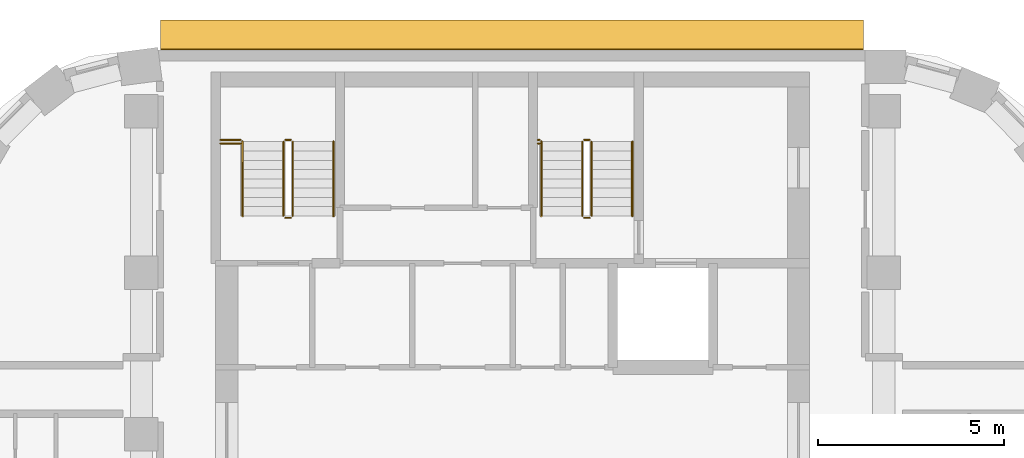
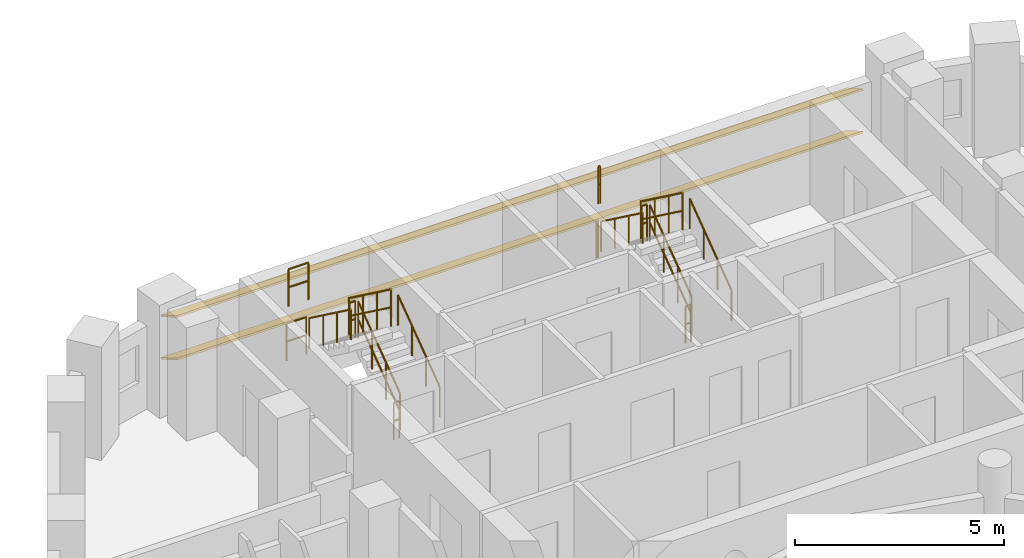
# One storey, part 12 of 12: 16 railings, 2 shading devices.
"""IFC4 building model written with IfcOpenShell, lengths in metres."""

from ifc_helpers import new_model, si_unit, direction, frame, origin, origin_2d, place, context, subcontext, project, spatial, rectangle, circle, extrude, material, material_profile, profile_set, type_object, element, save


model = new_model("IFC4")

# Units and contexts
model_context = context("Model", 3, precision=1e-05, world=origin(), true_north=direction((0.0, 1.0)))
body_context = subcontext(model_context, "Body", "Model", "MODEL_VIEW")
ifc_project = project(units=[si_unit("LENGTHUNIT", "METRE"), si_unit("AREAUNIT", "SQUARE_METRE"), si_unit("VOLUMEUNIT", "CUBIC_METRE"), si_unit("PLANEANGLEUNIT", "RADIAN"), si_unit("MASSUNIT", "GRAM", prefix="KILO")], contexts=[model_context])

# Site, building, storey
site_placement = place(None, origin())
site = spatial("IfcSite", under=ifc_project, at=site_placement, CompositionType="ELEMENT")
building_placement = place(site_placement, origin())
building = spatial("IfcBuilding", under=site, at=building_placement, Name="Nakaniwa Court", CompositionType="ELEMENT")
storey_placement = place(building_placement, frame((0.0, 0.0, 232.800048828125)))
storey = spatial("IfcBuildingStorey", under=building, at=storey_placement, Name="L60", CompositionType="ELEMENT", Elevation=232.800048828125)

# Shading devices
ifc_material_1 = material(Name="Perforated charcoal ceramic louvre blade")
ifc_material_profile = material_profile(ifc_material_1, rectangle(XDim=0.89990234375, YDim=0.050048828125, at=origin_2d()), Name="Perforated ceramic louvre blade")
ifc_profile_set = profile_set([ifc_material_profile], Name="Perforated charcoal ceramic louvre blade")
shading_device_type = type_object("IfcShadingDeviceType", Name="Perforated ceramic louvre blade", PredefinedType="JALOUSIE", material=ifc_profile_set)
for number, where, z_axis, x_axis, name in (
    (1, (89.44921875, 103.05224609375, 0.550048828125), (-1.0, 0.0, 0.0), (0.0, -0.866025403784, 0.5), "L60 perforated ceramic louvre blade w08 1"),
    (2, (89.44921875, 103.05224609375, 1.793212890625), (-1.0, 0.0, 0.0), (0.0, -0.866025403784, 0.5), "L60 perforated ceramic louvre blade w08 2"),
):
    element("IfcShadingDevice", number, at=place(storey_placement, frame(where, z_axis=z_axis, x_axis=x_axis)), inside=storey, type_object=shading_device_type, Name=name, PredefinedType="JALOUSIE", context=body_context, shape_type="SweptSolid", body=[
        extrude(rectangle(XDim=0.89990234375, YDim=0.050048828125, at=origin_2d()), origin(), (0.0, 0.0, 1.0), 18.933349609375),
    ])

# Railings
ifc_material_2 = material(Name="Black powder coated steel guard", Category="steel")
railing_type_1 = type_object("IfcRailingType", Name="Stair guard 1100", PredefinedType="GUARDRAIL", material=ifc_material_2)
railing_1_placement = place(storey_placement, frame((74.074951171875, 98.175048828125, 0.183349609375)))
element("IfcRailing", 3, at=railing_1_placement, inside=storey, type_object=railing_type_1, Name="L60 ST1 stair guard 1", PredefinedType="GUARDRAIL", context=body_context, shape_type="SweptSolid", body=[
    extrude(circle(Radius=0.02392578125, at=origin_2d()), frame((0.0, 0.0, 1.076171875), z_axis=(0.0, 0.806426902644, 0.591333789573), x_axis=(-1.0, 0.0, 0.0)), (0.0, 0.0, 1.0), 2.47998046875),
    extrude(circle(Radius=0.02392578125, at=origin_2d()), frame((0.0, 0.0, 0.550048828125), z_axis=(0.0, 0.806426902644, 0.591333789573), x_axis=(-1.0, 0.0, 0.0)), (0.0, 0.0, 1.0), 2.47998046875),
    extrude(circle(Radius=0.02099609375, at=origin_2d()), origin(), (0.0, 0.0, 1.0), 1.052001953125),
    extrude(circle(Radius=0.02099609375, at=origin_2d()), frame((0.0, 0.666748046875, 0.48876953125)), (0.0, 0.0, 1.0), 1.052001953125),
    extrude(circle(Radius=0.02099609375, at=origin_2d()), frame((0.0, 1.333251953125, 0.977783203125)), (0.0, 0.0, 1.0), 1.052001953125),
    extrude(circle(Radius=0.02099609375, at=origin_2d()), frame((0.0, 2.0, 1.466552734375)), (0.0, 0.0, 1.0), 1.052001953125),
])
railing_2_placement = place(storey_placement, frame((74.02490234375, 100.22509765625, 1.64990234375)))
element("IfcRailing", 4, at=railing_2_placement, inside=storey, type_object=railing_type_1, Name="L60 ST1 stair guard 2", PredefinedType="GUARDRAIL", context=body_context, shape_type="SweptSolid", body=[
    extrude(circle(Radius=0.02392578125, at=origin_2d()), frame((0.0, 0.0, 1.076171875), z_axis=(-1.0, 0.0, 0.0), x_axis=(0.0, -1.0, 0.0)), (0.0, 0.0, 1.0), 0.14990234375),
    extrude(circle(Radius=0.02392578125, at=origin_2d()), frame((0.0, 0.0, 0.550048828125), z_axis=(-1.0, 0.0, 0.0), x_axis=(0.0, -1.0, 0.0)), (0.0, 0.0, 1.0), 0.14990234375),
    extrude(circle(Radius=0.02099609375, at=origin_2d()), origin(), (0.0, 0.0, 1.0), 1.052001953125),
    extrude(circle(Radius=0.02099609375, at=origin_2d()), frame((-0.14990234375, 0.0, 0.0)), (0.0, 0.0, 1.0), 1.052001953125),
])
railing_3_placement = place(storey_placement, frame((73.824951171875, 100.175048828125, 1.833251953125)))
element("IfcRailing", 5, at=railing_3_placement, inside=storey, type_object=railing_type_1, Name="L60 ST1 stair guard 3", PredefinedType="GUARDRAIL", context=body_context, shape_type="SweptSolid", body=[
    extrude(circle(Radius=0.02392578125, at=origin_2d()), frame((0.0, 0.0, 1.076171875), z_axis=(0.0, -0.806379959628, 0.591397802423), x_axis=(1.0, 0.0, 0.0)), (0.0, 0.0, 1.0), 2.480224609375),
    extrude(circle(Radius=0.02392578125, at=origin_2d()), frame((0.0, 0.0, 0.550048828125), z_axis=(0.0, -0.806379959628, 0.591397802423), x_axis=(1.0, 0.0, 0.0)), (0.0, 0.0, 1.0), 2.480224609375),
    extrude(circle(Radius=0.02099609375, at=origin_2d()), origin(), (0.0, 0.0, 1.0), 1.052001953125),
    extrude(circle(Radius=0.02099609375, at=origin_2d()), frame((0.0, -0.666748046875, 0.489013671875)), (0.0, 0.0, 1.0), 1.052001953125),
    extrude(circle(Radius=0.02099609375, at=origin_2d()), frame((0.0, -1.333251953125, 0.977783203125)), (0.0, 0.0, 1.0), 1.052001953125),
    extrude(circle(Radius=0.02099609375, at=origin_2d()), frame((0.0, -2.0, 1.466796875)), (0.0, 0.0, 1.0), 1.052001953125),
])
railing_4_placement = place(storey_placement, frame((74.02490234375, 98.125, 0.0)))
element("IfcRailing", 6, at=railing_4_placement, inside=storey, type_object=railing_type_1, Name="L60 ST1 stair guard 4", PredefinedType="GUARDRAIL", context=body_context, shape_type="SweptSolid", body=[
    extrude(circle(Radius=0.02392578125, at=origin_2d()), frame((0.0, 0.0, 1.076171875), z_axis=(-1.0, 0.0, 0.0), x_axis=(0.0, -1.0, 0.0)), (0.0, 0.0, 1.0), 0.14990234375),
    extrude(circle(Radius=0.02392578125, at=origin_2d()), frame((0.0, 0.0, 0.550048828125), z_axis=(-1.0, 0.0, 0.0), x_axis=(0.0, -1.0, 0.0)), (0.0, 0.0, 1.0), 0.14990234375),
    extrude(circle(Radius=0.02099609375, at=origin_2d()), origin(), (0.0, 0.0, 1.0), 1.052001953125),
    extrude(circle(Radius=0.02099609375, at=origin_2d()), frame((-0.14990234375, 0.0, 0.0)), (0.0, 0.0, 1.0), 1.052001953125),
])
for number, where, name in (
    (7, (72.125, 100.22509765625, 1.64990234375), "L60 ST1 landing side guard 1W"),
    (8, (72.125, 100.125, 3.300048828125), "L60 ST1 floor edge guard 1W"),
):
    element("IfcRailing", number, at=place(storey_placement, frame(where)), inside=storey, type_object=railing_type_1, Name=name, PredefinedType="GUARDRAIL", context=body_context, shape_type="SweptSolid", body=[
        extrude(circle(Radius=0.02392578125, at=origin_2d()), frame((0.0, 0.0, 1.076171875), z_axis=(1.0, 0.0, 0.0), x_axis=(0.0, 1.0, 0.0)), (0.0, 0.0, 1.0), 0.550048828125),
        extrude(circle(Radius=0.02392578125, at=origin_2d()), frame((0.0, 0.0, 0.550048828125), z_axis=(1.0, 0.0, 0.0), x_axis=(0.0, 1.0, 0.0)), (0.0, 0.0, 1.0), 0.550048828125),
        extrude(circle(Radius=0.02099609375, at=origin_2d()), origin(), (0.0, 0.0, 1.0), 1.052001953125),
        extrude(circle(Radius=0.02099609375, at=origin_2d()), frame((0.550048828125, 0.0, 0.0)), (0.0, 0.0, 1.0), 1.052001953125),
    ])
railing_5_placement = place(storey_placement, frame((82.125, 98.175048828125, 0.183349609375)))
element("IfcRailing", 9, at=railing_5_placement, inside=storey, type_object=railing_type_1, Name="L60 ST2 stair guard 1", PredefinedType="GUARDRAIL", context=body_context, shape_type="SweptSolid", body=[
    extrude(circle(Radius=0.02392578125, at=origin_2d()), frame((0.0, 0.0, 1.076171875), z_axis=(0.0, 0.806426902644, 0.591333789573), x_axis=(-1.0, 0.0, 0.0)), (0.0, 0.0, 1.0), 2.47998046875),
    extrude(circle(Radius=0.02392578125, at=origin_2d()), frame((0.0, 0.0, 0.550048828125), z_axis=(0.0, 0.806426902644, 0.591333789573), x_axis=(-1.0, 0.0, 0.0)), (0.0, 0.0, 1.0), 2.47998046875),
    extrude(circle(Radius=0.02099609375, at=origin_2d()), origin(), (0.0, 0.0, 1.0), 1.052001953125),
    extrude(circle(Radius=0.02099609375, at=origin_2d()), frame((0.0, 0.666748046875, 0.48876953125)), (0.0, 0.0, 1.0), 1.052001953125),
    extrude(circle(Radius=0.02099609375, at=origin_2d()), frame((0.0, 1.333251953125, 0.977783203125)), (0.0, 0.0, 1.0), 1.052001953125),
    extrude(circle(Radius=0.02099609375, at=origin_2d()), frame((0.0, 2.0, 1.466552734375)), (0.0, 0.0, 1.0), 1.052001953125),
])
railing_6_placement = place(storey_placement, frame((82.074951171875, 100.22509765625, 1.64990234375)))
element("IfcRailing", 10, at=railing_6_placement, inside=storey, type_object=railing_type_1, Name="L60 ST2 stair guard 2", PredefinedType="GUARDRAIL", context=body_context, shape_type="SweptSolid", body=[
    extrude(circle(Radius=0.02392578125, at=origin_2d()), frame((0.0, 0.0, 1.076171875), z_axis=(-1.0, 0.0, 0.0), x_axis=(0.0, -1.0, 0.0)), (0.0, 0.0, 1.0), 0.14990234375),
    extrude(circle(Radius=0.02392578125, at=origin_2d()), frame((0.0, 0.0, 0.550048828125), z_axis=(-1.0, 0.0, 0.0), x_axis=(0.0, -1.0, 0.0)), (0.0, 0.0, 1.0), 0.14990234375),
    extrude(circle(Radius=0.02099609375, at=origin_2d()), origin(), (0.0, 0.0, 1.0), 1.052001953125),
    extrude(circle(Radius=0.02099609375, at=origin_2d()), frame((-0.14990234375, 0.0, 0.0)), (0.0, 0.0, 1.0), 1.052001953125),
])
railing_7_placement = place(storey_placement, frame((81.875, 100.175048828125, 1.833251953125)))
element("IfcRailing", 11, at=railing_7_placement, inside=storey, type_object=railing_type_1, Name="L60 ST2 stair guard 3", PredefinedType="GUARDRAIL", context=body_context, shape_type="SweptSolid", body=[
    extrude(circle(Radius=0.02392578125, at=origin_2d()), frame((0.0, 0.0, 1.076171875), z_axis=(0.0, -0.806379959628, 0.591397802423), x_axis=(1.0, 0.0, 0.0)), (0.0, 0.0, 1.0), 2.480224609375),
    extrude(circle(Radius=0.02392578125, at=origin_2d()), frame((0.0, 0.0, 0.550048828125), z_axis=(0.0, -0.806379959628, 0.591397802423), x_axis=(1.0, 0.0, 0.0)), (0.0, 0.0, 1.0), 2.480224609375),
    extrude(circle(Radius=0.02099609375, at=origin_2d()), origin(), (0.0, 0.0, 1.0), 1.052001953125),
    extrude(circle(Radius=0.02099609375, at=origin_2d()), frame((0.0, -0.666748046875, 0.489013671875)), (0.0, 0.0, 1.0), 1.052001953125),
    extrude(circle(Radius=0.02099609375, at=origin_2d()), frame((0.0, -1.333251953125, 0.977783203125)), (0.0, 0.0, 1.0), 1.052001953125),
    extrude(circle(Radius=0.02099609375, at=origin_2d()), frame((0.0, -2.0, 1.466796875)), (0.0, 0.0, 1.0), 1.052001953125),
])
railing_8_placement = place(storey_placement, frame((82.074951171875, 98.125, 0.0)))
element("IfcRailing", 12, at=railing_8_placement, inside=storey, type_object=railing_type_1, Name="L60 ST2 stair guard 4", PredefinedType="GUARDRAIL", context=body_context, shape_type="SweptSolid", body=[
    extrude(circle(Radius=0.02392578125, at=origin_2d()), frame((0.0, 0.0, 1.076171875), z_axis=(-1.0, 0.0, 0.0), x_axis=(0.0, -1.0, 0.0)), (0.0, 0.0, 1.0), 0.14990234375),
    extrude(circle(Radius=0.02392578125, at=origin_2d()), frame((0.0, 0.0, 0.550048828125), z_axis=(-1.0, 0.0, 0.0), x_axis=(0.0, -1.0, 0.0)), (0.0, 0.0, 1.0), 0.14990234375),
    extrude(circle(Radius=0.02099609375, at=origin_2d()), origin(), (0.0, 0.0, 1.0), 1.052001953125),
    extrude(circle(Radius=0.02099609375, at=origin_2d()), frame((-0.14990234375, 0.0, 0.0)), (0.0, 0.0, 1.0), 1.052001953125),
])
for number, where, name in (
    (13, (80.675048828125, 100.22509765625, 1.64990234375), "L60 ST2 landing side guard 1W"),
    (14, (80.675048828125, 100.125, 3.300048828125), "L60 ST2 floor edge guard 1W"),
):
    element("IfcRailing", number, at=place(storey_placement, frame(where)), inside=storey, type_object=railing_type_1, Name=name, PredefinedType="GUARDRAIL", context=body_context, shape_type="SweptSolid", body=[
        extrude(circle(Radius=0.02392578125, at=origin_2d()), frame((0.0, 0.0, 1.076171875), z_axis=(1.0, 0.0, 0.0), x_axis=(0.0, 1.0, 0.0)), (0.0, 0.0, 1.0), 0.050048828125),
        extrude(circle(Radius=0.02392578125, at=origin_2d()), frame((0.0, 0.0, 0.550048828125), z_axis=(1.0, 0.0, 0.0), x_axis=(0.0, 1.0, 0.0)), (0.0, 0.0, 1.0), 0.050048828125),
        extrude(circle(Radius=0.02099609375, at=origin_2d()), origin(), (0.0, 0.0, 1.0), 1.052001953125),
        extrude(circle(Radius=0.02099609375, at=origin_2d()), frame((0.050048828125, 0.0, 0.0)), (0.0, 0.0, 1.0), 1.052001953125),
    ])
ifc_material_3 = material(Name="Black powder coated steel handrail", Category="steel")
railing_type_2 = type_object("IfcRailingType", Name="Stair handrail 900", PredefinedType="HANDRAIL", material=ifc_material_3)
railing_9_placement = place(storey_placement, frame((75.175048828125, 98.175048828125, 0.183349609375)))
element("IfcRailing", 15, at=railing_9_placement, inside=storey, type_object=railing_type_2, Name="L60 ST1 stair handrail 1", PredefinedType="HANDRAIL", context=body_context, shape_type="SweptSolid", body=[
    extrude(circle(Radius=0.02392578125, at=origin_2d()), frame((0.0, 0.0, 0.8759765625), z_axis=(0.0, 0.806426902644, 0.591333789573), x_axis=(-1.0, 0.0, 0.0)), (0.0, 0.0, 1.0), 2.47998046875),
    extrude(circle(Radius=0.02099609375, at=origin_2d()), origin(), (0.0, 0.0, 1.0), 0.851806640625),
    extrude(circle(Radius=0.02099609375, at=origin_2d()), frame((0.0, 0.666748046875, 0.48876953125)), (0.0, 0.0, 1.0), 0.851806640625),
    extrude(circle(Radius=0.02099609375, at=origin_2d()), frame((0.0, 1.333251953125, 0.977783203125)), (0.0, 0.0, 1.0), 0.851806640625),
    extrude(circle(Radius=0.02099609375, at=origin_2d()), frame((0.0, 2.0, 1.466552734375)), (0.0, 0.0, 1.0), 0.851806640625),
])
railing_10_placement = place(storey_placement, frame((72.72509765625, 100.175048828125, 1.833251953125)))
element("IfcRailing", 16, at=railing_10_placement, inside=storey, type_object=railing_type_2, Name="L60 ST1 stair handrail 2", PredefinedType="HANDRAIL", context=body_context, shape_type="SweptSolid", body=[
    extrude(circle(Radius=0.02392578125, at=origin_2d()), frame((0.0, 0.0, 0.8759765625), z_axis=(0.0, -0.806379959628, 0.591397802423), x_axis=(1.0, 0.0, 0.0)), (0.0, 0.0, 1.0), 2.480224609375),
    extrude(circle(Radius=0.02099609375, at=origin_2d()), origin(), (0.0, 0.0, 1.0), 0.851806640625),
    extrude(circle(Radius=0.02099609375, at=origin_2d()), frame((0.0, -0.666748046875, 0.489013671875)), (0.0, 0.0, 1.0), 0.851806640625),
    extrude(circle(Radius=0.02099609375, at=origin_2d()), frame((0.0, -1.333251953125, 0.977783203125)), (0.0, 0.0, 1.0), 0.851806640625),
    extrude(circle(Radius=0.02099609375, at=origin_2d()), frame((0.0, -2.0, 1.466796875)), (0.0, 0.0, 1.0), 0.851806640625),
])
railing_11_placement = place(storey_placement, frame((83.22509765625, 98.175048828125, 0.183349609375)))
element("IfcRailing", 17, at=railing_11_placement, inside=storey, type_object=railing_type_2, Name="L60 ST2 stair handrail 1", PredefinedType="HANDRAIL", context=body_context, shape_type="SweptSolid", body=[
    extrude(circle(Radius=0.02392578125, at=origin_2d()), frame((0.0, 0.0, 0.8759765625), z_axis=(0.0, 0.806426902644, 0.591333789573), x_axis=(-1.0, 0.0, 0.0)), (0.0, 0.0, 1.0), 2.47998046875),
    extrude(circle(Radius=0.02099609375, at=origin_2d()), origin(), (0.0, 0.0, 1.0), 0.851806640625),
    extrude(circle(Radius=0.02099609375, at=origin_2d()), frame((0.0, 0.666748046875, 0.48876953125)), (0.0, 0.0, 1.0), 0.851806640625),
    extrude(circle(Radius=0.02099609375, at=origin_2d()), frame((0.0, 1.333251953125, 0.977783203125)), (0.0, 0.0, 1.0), 0.851806640625),
    extrude(circle(Radius=0.02099609375, at=origin_2d()), frame((0.0, 2.0, 1.466552734375)), (0.0, 0.0, 1.0), 0.851806640625),
])
railing_12_placement = place(storey_placement, frame((80.77490234375, 100.175048828125, 1.833251953125)))
element("IfcRailing", 18, at=railing_12_placement, inside=storey, type_object=railing_type_2, Name="L60 ST2 stair handrail 2", PredefinedType="HANDRAIL", context=body_context, shape_type="SweptSolid", body=[
    extrude(circle(Radius=0.02392578125, at=origin_2d()), frame((0.0, 0.0, 0.8759765625), z_axis=(0.0, -0.806379959628, 0.591397802423), x_axis=(1.0, 0.0, 0.0)), (0.0, 0.0, 1.0), 2.480224609375),
    extrude(circle(Radius=0.02099609375, at=origin_2d()), origin(), (0.0, 0.0, 1.0), 0.851806640625),
    extrude(circle(Radius=0.02099609375, at=origin_2d()), frame((0.0, -0.666748046875, 0.489013671875)), (0.0, 0.0, 1.0), 0.851806640625),
    extrude(circle(Radius=0.02099609375, at=origin_2d()), frame((0.0, -1.333251953125, 0.977783203125)), (0.0, 0.0, 1.0), 0.851806640625),
    extrude(circle(Radius=0.02099609375, at=origin_2d()), frame((0.0, -2.0, 1.466796875)), (0.0, 0.0, 1.0), 0.851806640625),
])

save(model, "model.ifc")
